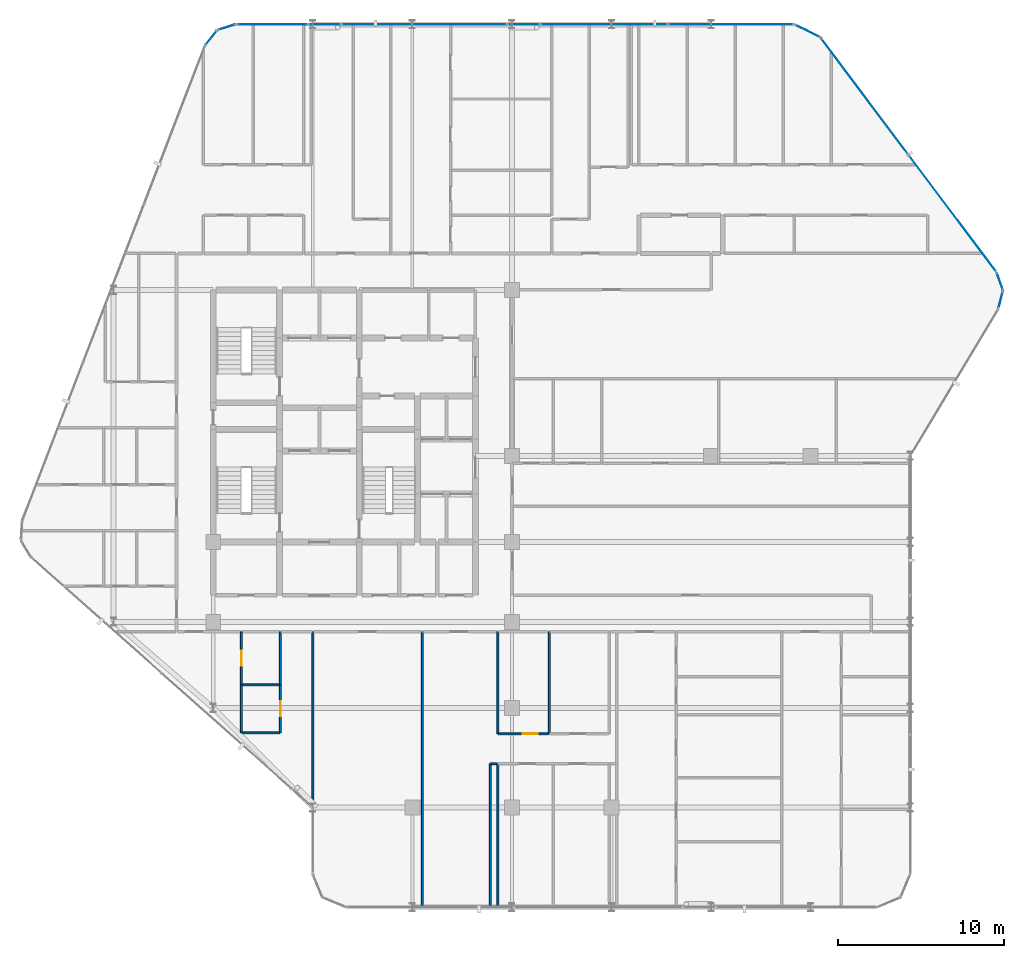
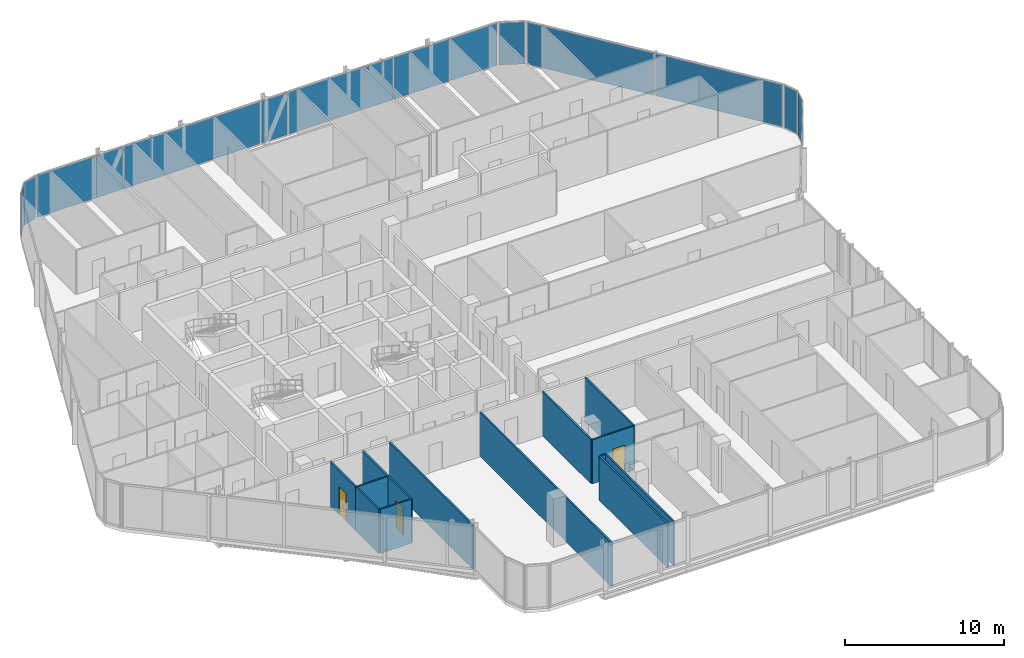
# One storey, part 24 of 31: 14 walls, 13 plates, 3 doors, 3 openings, 11 elements without a shape of their own.
"""IFC4 building model written with IfcOpenShell, lengths in metres."""

from ifc_helpers import new_model, si_unit, direction, frame, frame_2d, origin, origin_2d, place, context, subcontext, project, spatial, rectangle, extrude, material, layer, layer_set, type_object, element, fill, aggregate, save


model = new_model("IFC4")

# Units and contexts
model_context = context("Model", 3, precision=1e-05, world=origin(), true_north=direction((0.0, 1.0)))
body_context = subcontext(model_context, "Body", "Model", "MODEL_VIEW")
ifc_project = project(units=[si_unit("LENGTHUNIT", "METRE"), si_unit("AREAUNIT", "SQUARE_METRE"), si_unit("VOLUMEUNIT", "CUBIC_METRE"), si_unit("PLANEANGLEUNIT", "RADIAN"), si_unit("MASSUNIT", "GRAM", prefix="KILO")], contexts=[model_context])

# Site, building, storey
site_placement = place(None, origin())
site = spatial("IfcSite", under=ifc_project, at=site_placement, CompositionType="ELEMENT")
building_placement = place(site_placement, origin())
building = spatial("IfcBuilding", under=site, at=building_placement, Name="Keshet Zoharim Tower", CompositionType="ELEMENT")
storey_placement = place(building_placement, frame((0.0, 0.0, 133.5)))
storey = spatial("IfcBuildingStorey", under=building, at=storey_placement, Name="L32", CompositionType="ELEMENT", Elevation=133.5)

# Curtain wall, plate
ifc_material_1 = material(Name="Aluminium 6063-T6", Category="aluminium")
ifc_layer_1 = layer(ifc_material_1, 0.159912109375)
ifc_layer_set_1 = layer_set([ifc_layer_1], Name="Aluminium 6063-T6")
curtain_wall_type = type_object("IfcCurtainWallType", Name="CW-SYS-03", PredefinedType="NOTDEFINED", material=ifc_layer_set_1)
curtain_wall_1_placement = place(storey_placement, origin())
curtain_wall_1 = element("IfcCurtainWall", 1, at=curtain_wall_1_placement, inside=storey, type_object=curtain_wall_type, Name="L32 Unitised Curtain Wall 11", PredefinedType="NOTDEFINED")
ifc_material_2 = material(Name="Insulated Low-E Clear Glass", Category="glass")
ifc_layer_2 = layer(ifc_material_2, 0.035888671875)
ifc_layer_set_2 = layer_set([ifc_layer_2], Name="Insulated Low-E Clear Glass")
plate_type_1 = type_object("IfcPlateType", Name="CWP-01", PredefinedType="CURTAIN_PANEL", material=ifc_layer_set_2)
plate_1_placement = place(storey_placement, frame((14.8740234375, 53.08349609375, 0.06982421875), z_axis=(0.0, 0.0, 1.0), x_axis=(0.619124525989, 0.785292825205, 0.0)))
plate_1 = element("IfcPlate", 2, at=plate_1_placement, type_object=plate_type_1, Name="CW-03 panel 1.1", PredefinedType="CURTAIN_PANEL", context=body_context, shape_type="SweptSolid", body=[
    extrude(rectangle(XDim=1.045654296875, YDim=0.035888671875, at=origin_2d()), origin(), (0.0, 0.0, 1.0), 3.2451171875),
])
aggregate(curtain_wall_1, [plate_1])

curtain_wall_2_placement = place(storey_placement, origin())
curtain_wall_2 = element("IfcCurtainWall", 3, at=curtain_wall_2_placement, inside=storey, type_object=curtain_wall_type, Name="L32 Unitised Curtain Wall 12", PredefinedType="NOTDEFINED")
plate_2_placement = place(storey_placement, frame((15.8076171875, 53.724609375, 0.06982421875), z_axis=(0.0, 0.0, 1.0), x_axis=(0.955212151288, 0.295921857984, 0.0)))
plate_2 = element("IfcPlate", 4, at=plate_2_placement, type_object=plate_type_1, Name="CW-03 panel 1.1", PredefinedType="CURTAIN_PANEL", context=body_context, shape_type="SweptSolid", body=[
    extrude(rectangle(XDim=1.046142578125, YDim=0.035888671875, at=origin_2d()), origin(), (0.0, 0.0, 1.0), 3.2451171875),
])
aggregate(curtain_wall_2, [plate_2])

curtain_wall_3_placement = place(storey_placement, origin())
curtain_wall_3 = element("IfcCurtainWall", 5, at=curtain_wall_3_placement, inside=storey, type_object=curtain_wall_type, Name="L32 Unitised Curtain Wall 13", PredefinedType="NOTDEFINED")
ifc_layer_3 = layer(ifc_material_2, 0.031982421875)
ifc_layer_set_3 = layer_set([ifc_layer_3], Name="Insulated Low-E Clear Glass")
plate_type_2 = type_object("IfcPlateType", Name="CWP-02", PredefinedType="CURTAIN_PANEL", material=ifc_layer_set_3)
plate_3_placement = place(storey_placement, frame((18.56298828125, 53.89990234375, 0.06982421875), z_axis=(0.0, 0.0, 1.0), x_axis=(1.0, 0.0, 0.0)))
plate_3 = element("IfcPlate", 6, at=plate_3_placement, type_object=plate_type_2, Name="CW-03 panel 1.1", PredefinedType="CURTAIN_PANEL", context=body_context, shape_type="SweptSolid", body=[
    extrude(rectangle(XDim=4.23779296875, YDim=0.031982421875, at=origin_2d()), origin(), (0.0, 0.0, 1.0), 3.2451171875),
])
aggregate(curtain_wall_3, [plate_3])

curtain_wall_4_placement = place(storey_placement, origin())
curtain_wall_4 = element("IfcCurtainWall", 7, at=curtain_wall_4_placement, inside=storey, type_object=curtain_wall_type, Name="L32 Unitised Curtain Wall 13 Part 3", PredefinedType="NOTDEFINED")
plate_4_placement = place(storey_placement, frame((27.715087890625, 53.89990234375, 0.06982421875), z_axis=(0.0, 0.0, 1.0), x_axis=(1.0, 0.0, 0.0)))
plate_4 = element("IfcPlate", 8, at=plate_4_placement, type_object=plate_type_2, Name="CW-03 panel 1.1", PredefinedType="CURTAIN_PANEL", context=body_context, shape_type="SweptSolid", body=[
    extrude(rectangle(XDim=9.933837890625, YDim=0.031982421875, at=origin_2d()), origin(), (0.0, 0.0, 1.0), 3.2451171875),
])
aggregate(curtain_wall_4, [plate_4])

# Curtain wall, plates
curtain_wall_5_placement = place(storey_placement, origin())
curtain_wall_5 = element("IfcCurtainWall", 9, at=curtain_wall_5_placement, inside=storey, type_object=curtain_wall_type, Name="L32 Unitised Curtain Wall 13 Part 5", PredefinedType="NOTDEFINED")
plate_5_placement = place(storey_placement, frame((38.54345703125, 53.89990234375, 0.06982421875), z_axis=(0.0, 0.0, 1.0), x_axis=(1.0, 0.0, 0.0)))
plate_5 = element("IfcPlate", 10, at=plate_5_placement, type_object=plate_type_2, Name="CW-03 panel 1.1", PredefinedType="CURTAIN_PANEL", context=body_context, shape_type="SweptSolid", body=[
    extrude(rectangle(XDim=7.591064453125, YDim=0.031982421875, at=origin_2d()), origin(), (0.0, 0.0, 1.0), 3.2451171875),
])
plate_6_placement = place(storey_placement, frame((46.16943359375, 53.89990234375, 0.06982421875), z_axis=(0.0, 0.0, 1.0), x_axis=(1.0, 0.0, 0.0)))
plate_6 = element("IfcPlate", 11, at=plate_6_placement, type_object=plate_type_2, Name="CW-03 panel 2.1", PredefinedType="CURTAIN_PANEL", context=body_context, shape_type="SweptSolid", body=[
    extrude(rectangle(XDim=7.52099609375, YDim=0.031982421875, at=origin_2d()), origin(), (0.0, 0.0, 1.0), 3.2451171875),
])
aggregate(curtain_wall_5, [plate_5, plate_6])

# Curtain wall, plate
curtain_wall_6_placement = place(storey_placement, origin())
curtain_wall_6 = element("IfcCurtainWall", 12, at=curtain_wall_6_placement, inside=storey, type_object=curtain_wall_type, Name="L32 Unitised Curtain Wall 14", PredefinedType="NOTDEFINED")
plate_7_placement = place(storey_placement, frame((50.800048828125, 53.5, 0.06982421875), z_axis=(0.0, 0.0, 1.0), x_axis=(0.894427191001, -0.447213595499, 0.0)))
plate_7 = element("IfcPlate", 13, at=plate_7_placement, type_object=plate_type_2, Name="CW-03 panel 1.1", PredefinedType="CURTAIN_PANEL", context=body_context, shape_type="SweptSolid", body=[
    extrude(rectangle(XDim=1.64892578125, YDim=0.031982421875, at=origin_2d()), origin(), (0.0, 0.0, 1.0), 3.2451171875),
])
aggregate(curtain_wall_6, [plate_7])

# Curtain wall, plates
curtain_wall_7_placement = place(storey_placement, origin())
curtain_wall_7 = element("IfcCurtainWall", 14, at=curtain_wall_7_placement, inside=storey, type_object=curtain_wall_type, Name="L32 Unitised Curtain Wall 15", PredefinedType="NOTDEFINED")
plate_8_placement = place(storey_placement, frame((54.2587890625, 49.554931640625, 0.06982421875), z_axis=(0.0, 0.0, 1.0), x_axis=(0.600000000002, -0.799999999998, 0.0)))
plate_8 = element("IfcPlate", 15, at=plate_8_placement, type_object=plate_type_2, Name="CW-03 panel 1.1", PredefinedType="CURTAIN_PANEL", context=body_context, shape_type="SweptSolid", body=[
    extrude(rectangle(XDim=8.722412109375, YDim=0.031982421875, at=origin_2d()), origin(), (0.0, 0.0, 1.0), 3.2451171875),
])
plate_9_placement = place(storey_placement, frame((59.5341796875, 42.52099609375, 0.06982421875), z_axis=(0.0, 0.0, 1.0), x_axis=(0.600000000002, -0.799999999998, 0.0)))
plate_9 = element("IfcPlate", 16, at=plate_9_placement, type_object=plate_type_2, Name="CW-03 panel 2.1", PredefinedType="CURTAIN_PANEL", context=body_context, shape_type="SweptSolid", body=[
    extrude(rectangle(XDim=8.722412109375, YDim=0.031982421875, at=origin_2d()), origin(), (0.0, 0.0, 1.0), 3.2451171875),
])
aggregate(curtain_wall_7, [plate_8, plate_9])

# Curtain wall, plate
curtain_wall_8_placement = place(storey_placement, origin())
curtain_wall_8 = element("IfcCurtainWall", 17, at=curtain_wall_8_placement, inside=storey, type_object=curtain_wall_type, Name="L32 Unitised Curtain Wall 16", PredefinedType="NOTDEFINED")
plate_10_placement = place(storey_placement, frame((62.3916015625, 38.427490234375, 0.06982421875), z_axis=(0.0, 0.0, 1.0), x_axis=(0.340297354046, -0.940317877544, 0.0)))
plate_10 = element("IfcPlate", 18, at=plate_10_placement, type_object=plate_type_2, Name="CW-03 panel 1.1", PredefinedType="CURTAIN_PANEL", context=body_context, shape_type="SweptSolid", body=[
    extrude(rectangle(XDim=1.026611328125, YDim=0.031982421875, at=origin_2d()), origin(), (0.0, 0.0, 1.0), 3.2451171875),
])
aggregate(curtain_wall_8, [plate_10])

curtain_wall_9_placement = place(storey_placement, origin())
curtain_wall_9 = element("IfcCurtainWall", 19, at=curtain_wall_9_placement, inside=storey, type_object=curtain_wall_type, Name="L32 Unitised Curtain Wall 17", PredefinedType="NOTDEFINED")
plate_11_placement = place(storey_placement, frame((62.448974609375, 37.31298828125, 0.06982421875), z_axis=(0.0, 0.0, 1.0), x_axis=(-0.241728770141, -0.970343857447, 0.0)))
plate_11 = element("IfcPlate", 20, at=plate_11_placement, type_object=plate_type_2, Name="CW-03 panel 1.1", PredefinedType="CURTAIN_PANEL", context=body_context, shape_type="SweptSolid", body=[
    extrude(rectangle(XDim=1.026611328125, YDim=0.031982421875, at=origin_2d()), origin(), (0.0, 0.0, 1.0), 3.2451171875),
])
aggregate(curtain_wall_9, [plate_11])

curtain_wall_10_placement = place(storey_placement, origin())
curtain_wall_10 = element("IfcCurtainWall", 21, at=curtain_wall_10_placement, inside=storey, type_object=curtain_wall_type, Name="L32 Unitised Curtain Wall 13 Part 2", PredefinedType="NOTDEFINED")
ifc_material_3 = material(Name="Insulated Aluminium Spandrel Panel", Category="aluminium")
ifc_layer_4 = layer(ifc_material_3, 0.031982421875)
ifc_layer_set_4 = layer_set([ifc_layer_4], Name="Insulated Aluminium Spandrel Panel")
plate_type_3 = type_object("IfcPlateType", Name="CWP-05", PredefinedType="CURTAIN_PANEL", material=ifc_layer_set_4)
plate_12_placement = place(storey_placement, frame((21.715087890625, 53.89990234375, 0.06982421875), z_axis=(0.0, 0.0, 1.0), x_axis=(1.0, 0.0, 0.0)))
plate_12 = element("IfcPlate", 22, at=plate_12_placement, type_object=plate_type_3, Name="CW-03 spandrel panel 1.1", PredefinedType="CURTAIN_PANEL", context=body_context, shape_type="SweptSolid", body=[
    extrude(rectangle(XDim=1.92626953125, YDim=0.031982421875, at=origin_2d()), origin(), (0.0, 0.0, 1.0), 3.2451171875),
])
aggregate(curtain_wall_10, [plate_12])

curtain_wall_11_placement = place(storey_placement, origin())
curtain_wall_11 = element("IfcCurtainWall", 23, at=curtain_wall_11_placement, inside=storey, type_object=curtain_wall_type, Name="L32 Unitised Curtain Wall 13 Part 4", PredefinedType="NOTDEFINED")
plate_13_placement = place(storey_placement, frame((33.715087890625, 53.89990234375, 0.06982421875), z_axis=(0.0, 0.0, 1.0), x_axis=(1.0, 0.0, 0.0)))
plate_13 = element("IfcPlate", 24, at=plate_13_placement, type_object=plate_type_3, Name="CW-03 spandrel panel 1.1", PredefinedType="CURTAIN_PANEL", context=body_context, shape_type="SweptSolid", body=[
    extrude(rectangle(XDim=1.92626953125, YDim=0.031982421875, at=origin_2d()), origin(), (0.0, 0.0, 1.0), 3.2451171875),
])
aggregate(curtain_wall_11, [plate_13])

# Wall, opening, door
ifc_material_4 = material(Name="Gypsum Plasterboard", Category="gypsum")
ifc_layer_5 = layer(ifc_material_4, 0.1201171875)
ifc_layer_set_5 = layer_set([ifc_layer_5], Name="Gypsum Plasterboard")
wall_type_1 = type_object("IfcWallType", Name="WL-PART-120", PredefinedType="PARTITIONING", material=ifc_layer_set_5)
wall_1_placement = place(storey_placement, frame((16.699951171875, 14.10009765625, 0.0), z_axis=(0.0, 0.0, 1.0), x_axis=(0.0, 1.0, 0.0)))
wall_1 = element("IfcWall", 25, at=wall_1_placement, inside=storey, type_object=wall_type_1, Name="L32 Interior Wall 020", PredefinedType="PARTITIONING", context=body_context, shape_type="SweptSolid", body=[
    extrude(rectangle(XDim=3.199951171875, YDim=0.1201171875, at=frame_2d((1.60009765625, 0.0))), origin(), (0.0, 0.0, 1.0), 3.385009765625),
])
opening_1_placement = place(wall_1_placement, frame((1.14990234375, 0.0, 0.0)))
opening_1 = element("IfcOpeningElement", 26, at=opening_1_placement, cuts=wall_1, Name="Opening D-IN90", PredefinedType="OPENING", context=body_context, shape_type="SweptSolid", body=[
    extrude(rectangle(XDim=0.89990234375, YDim=2.14990234375, at=frame_2d((0.449951171875, 1.074951171875))), frame((0.0, 0.070068359375, 0.0), z_axis=(0.0, -1.0, 0.0), x_axis=(1.0, 0.0, 0.0)), (0.0, 0.0, 1.0), 0.14013671875),
])
ifc_material_5 = material(Name="Hardwood Timber", Category="wood")
door_type_1 = type_object("IfcDoorType", Name="DR-INT-090", OperationType="NOTDEFINED", PredefinedType="DOOR", material=ifc_material_5)
door_1_placement = place(opening_1_placement, origin())
door_1 = element("IfcDoor", 27, at=door_1_placement, inside=storey, type_object=door_type_1, Name="Apartment 3201 Kitchenette Door", OperationType="SINGLE_SWING_LEFT", OverallHeight=2.14990234375, OverallWidth=0.89990234375, PredefinedType="DOOR", context=body_context, shape_type="SweptSolid", body=[
    extrude(rectangle(XDim=0.89990234375, YDim=2.14990234375, at=frame_2d((0.449951171875, 1.074951171875))), frame((0.0, 0.02490234375, 0.0), z_axis=(0.0, -1.0, 0.0), x_axis=(1.0, 0.0, 0.0)), (0.0, 0.0, 1.0), 0.050048828125),
])
fill(opening_1, door_1)

# Walls
wall_2_placement = place(storey_placement, frame((19.050048828125, 14.10009765625, 0.0), z_axis=(0.0, 0.0, 1.0), x_axis=(0.0, 1.0, 0.0)))
element("IfcWall", 28, at=wall_2_placement, inside=storey, type_object=wall_type_1, Name="L32 Interior Wall 029", PredefinedType="PARTITIONING", context=body_context, shape_type="SweptSolid", body=[
    extrude(rectangle(XDim=3.199951171875, YDim=0.1201171875, at=frame_2d((1.60009765625, 0.0))), origin(), (0.0, 0.0, 1.0), 3.385009765625),
])
wall_3_placement = place(storey_placement, frame((21.0, 6.7099609375, 0.0), z_axis=(0.0, 0.0, 1.0), x_axis=(0.0, 1.0, 0.0)))
element("IfcWall", 29, at=wall_3_placement, inside=storey, type_object=wall_type_1, Name="L32 Interior Wall 033", PredefinedType="PARTITIONING", context=body_context, shape_type="SweptSolid", body=[
    extrude(rectangle(XDim=10.590087890625, YDim=0.1201171875, at=frame_2d((5.294921875, 0.0))), origin(), (0.0, 0.0, 1.0), 3.385009765625),
])
wall_4_placement = place(storey_placement, frame((27.60009765625, 0.7099609375, 0.0), z_axis=(0.0, 0.0, 1.0), x_axis=(0.0, 1.0, 0.0)))
element("IfcWall", 30, at=wall_4_placement, inside=storey, type_object=wall_type_1, Name="L32 Interior Wall 051", PredefinedType="PARTITIONING", context=body_context, shape_type="SweptSolid", body=[
    extrude(rectangle(XDim=16.590087890625, YDim=0.1201171875, at=frame_2d((8.294921875, 0.0))), origin(), (0.0, 0.0, 1.0), 3.385009765625),
])
for number, where, z_axis, x_axis, name in (
    (31, (31.699951171875, 0.7099609375, 0.0), (0.0, 0.0, 1.0), (0.0, 1.0, 0.0), "L32 Interior Wall 065"),
    (32, (32.14990234375, 0.7099609375, 0.0), (0.0, 0.0, 1.0), (0.0, 1.0, 0.0), "L32 Interior Wall 066"),
):
    element("IfcWall", number, at=place(storey_placement, frame(where, z_axis=z_axis, x_axis=x_axis)), inside=storey, type_object=wall_type_1, Name=name, PredefinedType="PARTITIONING", context=body_context, shape_type="SweptSolid", body=[
        extrude(rectangle(XDim=8.64013671875, YDim=0.1201171875, at=frame_2d((4.320068359375, 0.0))), origin(), (0.0, 0.0, 1.0), 3.385009765625),
    ])
wall_5_placement = place(storey_placement, frame((32.14990234375, 11.14990234375, 0.0), z_axis=(0.0, 0.0, 1.0), x_axis=(0.0, 1.0, 0.0)))
element("IfcWall", 33, at=wall_5_placement, inside=storey, type_object=wall_type_1, Name="L32 Interior Wall 067", PredefinedType="PARTITIONING", context=body_context, shape_type="SweptSolid", body=[
    extrude(rectangle(XDim=6.150146484375, YDim=0.1201171875, at=frame_2d((3.0751953125, 0.0))), origin(), (0.0, 0.0, 1.0), 3.385009765625),
])
wall_6_placement = place(storey_placement, frame((31.735107421875, 9.35009765625, 0.0), z_axis=(0.0, 0.0, 1.0), x_axis=(1.0, 0.0, 0.0)))
element("IfcWall", 34, at=wall_6_placement, inside=storey, type_object=wall_type_1, Name="L32 Interior Wall 111", PredefinedType="PARTITIONING", context=body_context, shape_type="SweptSolid", body=[
    extrude(rectangle(XDim=0.35986328125, YDim=0.1201171875, at=frame_2d((0.179931640625, 0.0))), origin(), (0.0, 0.0, 1.0), 3.385009765625),
])

# Wall, opening, door
wall_7_placement = place(storey_placement, frame((32.18505859375, 11.14990234375, 0.0), z_axis=(0.0, 0.0, 1.0), x_axis=(1.0, 0.0, 0.0)))
wall_7 = element("IfcWall", 35, at=wall_7_placement, inside=storey, type_object=wall_type_1, Name="L32 Interior Wall 114", PredefinedType="PARTITIONING", context=body_context, shape_type="SweptSolid", body=[
    extrude(rectangle(XDim=2.996826171875, YDim=0.1201171875, at=frame_2d((1.49853515625, 0.0))), origin(), (0.0, 0.0, 1.0), 3.385009765625),
])
opening_2_placement = place(wall_7_placement, frame((1.469970703125, 0.0, 0.0)))
opening_2 = element("IfcOpeningElement", 36, at=opening_2_placement, cuts=wall_7, Name="Opening D-IN90", PredefinedType="OPENING", context=body_context, shape_type="SweptSolid", body=[
    extrude(rectangle(XDim=0.89990234375, YDim=2.14990234375, at=frame_2d((0.449951171875, 1.074951171875))), frame((0.0, 0.070068359375, 0.0), z_axis=(0.0, -1.0, 0.0), x_axis=(1.0, 0.0, 0.0)), (0.0, 0.0, 1.0), 0.14013671875),
])
door_2_placement = place(opening_2_placement, origin())
door_2 = element("IfcDoor", 37, at=door_2_placement, inside=storey, type_object=door_type_1, Name="Apartment 3202 Kitchen Door", OperationType="SINGLE_SWING_LEFT", OverallHeight=2.14990234375, OverallWidth=0.89990234375, PredefinedType="DOOR", context=body_context, shape_type="SweptSolid", body=[
    extrude(rectangle(XDim=0.89990234375, YDim=2.14990234375, at=frame_2d((0.449951171875, 1.074951171875))), frame((0.0, 0.02490234375, 0.0), z_axis=(0.0, -1.0, 0.0), x_axis=(1.0, 0.0, 0.0)), (0.0, 0.0, 1.0), 0.050048828125),
])
fill(opening_2, door_2)

# Wall
ifc_layer_6 = layer(ifc_material_4, 0.1201171875)
ifc_layer_set_6 = layer_set([ifc_layer_6], Name="Gypsum Plasterboard")
wall_type_2 = type_object("IfcWallType", Name="WL-WET-120", PredefinedType="PARTITIONING", material=ifc_layer_set_6)
wall_8_placement = place(storey_placement, frame((16.699951171875, 11.199951171875, 0.0), z_axis=(0.0, 0.0, 1.0), x_axis=(0.0, 1.0, 0.0)))
element("IfcWall", 38, at=wall_8_placement, inside=storey, type_object=wall_type_2, Name="L32 Interior Wall 019", PredefinedType="PARTITIONING", context=body_context, shape_type="SweptSolid", body=[
    extrude(rectangle(XDim=2.900146484375, YDim=0.1201171875, at=frame_2d((1.4501953125, 0.0))), origin(), (0.0, 0.0, 1.0), 3.385009765625),
])

# Wall, opening, door
wall_9_placement = place(storey_placement, frame((19.050048828125, 11.199951171875, 0.0), z_axis=(0.0, 0.0, 1.0), x_axis=(0.0, 1.0, 0.0)))
wall_9 = element("IfcWall", 39, at=wall_9_placement, inside=storey, type_object=wall_type_2, Name="L32 Interior Wall 028", PredefinedType="PARTITIONING", context=body_context, shape_type="SweptSolid", body=[
    extrude(rectangle(XDim=2.900146484375, YDim=0.1201171875, at=frame_2d((1.4501953125, 0.0))), origin(), (0.0, 0.0, 1.0), 3.385009765625),
])
opening_3_placement = place(wall_9_placement, frame((1.0, 0.0, 0.0)))
opening_3 = element("IfcOpeningElement", 40, at=opening_3_placement, cuts=wall_9, Name="Opening D-WT90", PredefinedType="OPENING", context=body_context, shape_type="SweptSolid", body=[
    extrude(rectangle(XDim=0.89990234375, YDim=2.10009765625, at=frame_2d((0.449951171875, 1.050048828125))), frame((0.0, 0.070068359375, 0.0), z_axis=(0.0, -1.0, 0.0), x_axis=(1.0, 0.0, 0.0)), (0.0, 0.0, 1.0), 0.14013671875),
])
door_type_2 = type_object("IfcDoorType", Name="DR-WET-090", OperationType="NOTDEFINED", PredefinedType="DOOR", material=ifc_material_5)
door_3_placement = place(opening_3_placement, origin())
door_3 = element("IfcDoor", 41, at=door_3_placement, inside=storey, type_object=door_type_2, Name="Apartment 3201 Bathroom Door", OperationType="SINGLE_SWING_RIGHT", OverallHeight=2.10009765625, OverallWidth=0.89990234375, PredefinedType="DOOR", context=body_context, shape_type="SweptSolid", body=[
    extrude(rectangle(XDim=0.89990234375, YDim=2.10009765625, at=frame_2d((0.449951171875, 1.050048828125))), frame((0.0, 0.02490234375, 0.0), z_axis=(0.0, -1.0, 0.0), x_axis=(1.0, 0.0, 0.0)), (0.0, 0.0, 1.0), 0.050048828125),
])
fill(opening_3, door_3)

# Walls
wall_10_placement = place(storey_placement, frame((35.25, 11.14990234375, 0.0), z_axis=(0.0, 0.0, 1.0), x_axis=(0.0, 1.0, 0.0)))
element("IfcWall", 42, at=wall_10_placement, inside=storey, type_object=wall_type_2, Name="L32 Interior Wall 072", PredefinedType="PARTITIONING", context=body_context, shape_type="SweptSolid", body=[
    extrude(rectangle(XDim=6.150146484375, YDim=0.1201171875, at=frame_2d((3.0751953125, 0.0))), origin(), (0.0, 0.0, 1.0), 3.385009765625),
])
for number, where, z_axis, x_axis, name in (
    (43, (16.7451171875, 11.199951171875, 0.0), (0.0, 0.0, 1.0), (1.0, 0.0, 0.0), "L32 Interior Wall 116"),
    (44, (16.7451171875, 14.10009765625, 0.0), (0.0, 0.0, 1.0), (1.0, 0.0, 0.0), "L32 Interior Wall 119"),
):
    element("IfcWall", number, at=place(storey_placement, frame(where, z_axis=z_axis, x_axis=x_axis)), inside=storey, type_object=wall_type_2, Name=name, PredefinedType="PARTITIONING", context=body_context, shape_type="SweptSolid", body=[
        extrude(rectangle(XDim=2.259765625, YDim=0.1201171875, at=frame_2d((1.1298828125, 0.0))), origin(), (0.0, 0.0, 1.0), 3.385009765625),
    ])

save(model, "model.ifc")
